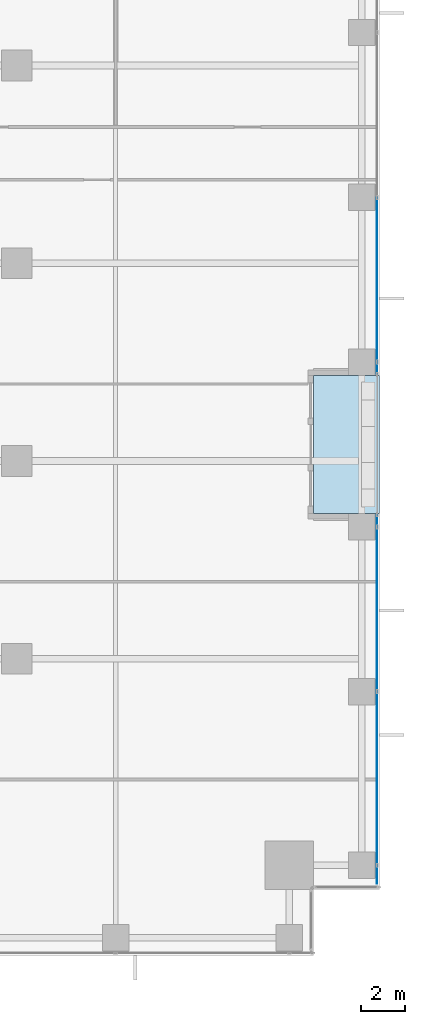
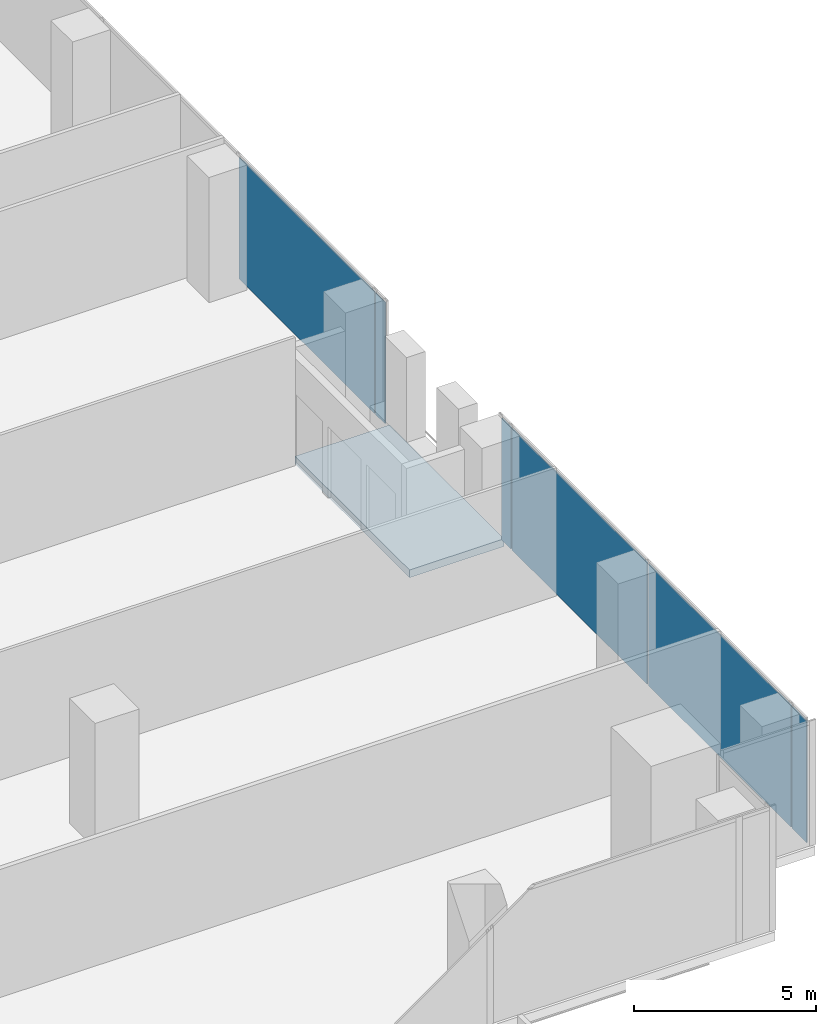
# One storey, part 23 of 32: 6 plates, 1 slab, 2 elements without a shape of their own.
"""IFC4 building model written with IfcOpenShell, lengths in metres."""

from ifc_helpers import new_model, si_unit, direction, frame, origin, origin_2d, place, context, subcontext, project, spatial, polyline, rectangle, outline, extrude, source, transform, mapped, material, layer, layer_set, type_object, element, aggregate, save


model = new_model("IFC4")

# Units and contexts
model_context = context("Model", 3, precision=1e-05, world=origin(), true_north=direction((0.0, 1.0)))
body_context = subcontext(model_context, "Body", "Model", "MODEL_VIEW")
ifc_project = project(units=[si_unit("LENGTHUNIT", "METRE"), si_unit("AREAUNIT", "SQUARE_METRE"), si_unit("VOLUMEUNIT", "CUBIC_METRE"), si_unit("PLANEANGLEUNIT", "RADIAN"), si_unit("MASSUNIT", "GRAM", prefix="KILO")], contexts=[model_context])

# Site, building, storey
site_placement = place(None, origin())
site = spatial("IfcSite", under=ifc_project, at=site_placement, CompositionType="ELEMENT")
building_placement = place(site_placement, origin())
building = spatial("IfcBuilding", under=site, at=building_placement, Name="Khomas Fold Tower", CompositionType="ELEMENT")
storey_placement = place(building_placement, frame((0.0, 0.0, 37.5)))
storey = spatial("IfcBuildingStorey", under=building, at=storey_placement, Name="L07", CompositionType="ELEMENT", Elevation=37.5)

# Curtain wall, plates
ifc_material_1 = material(Name="Aluminium framed double glazing", Category="aluminium")
curtain_wall_type = type_object("IfcCurtainWallType", Name="SK-Unitised clear-glass wall, growing floors CW1", PredefinedType="NOTDEFINED", material=ifc_material_1)
curtain_wall_1_placement = place(storey_placement, origin())
curtain_wall_1 = element("IfcCurtainWall", 1, at=curtain_wall_1_placement, inside=storey, type_object=curtain_wall_type, Name="CW1 run L07 03-0", PredefinedType="NOTDEFINED")
ifc_material_2 = material(Name="Clear double glazed unit")
ifc_layer_1 = layer(ifc_material_2, 0.031982421875)
ifc_layer_set_1 = layer_set([ifc_layer_1], Name="Clear double glazed unit")
plate_type = type_object("IfcPlateType", Name="SK-Unitised clear-glass wall, growing floors glass panel CW1-P", PredefinedType="CURTAIN_PANEL", material=ifc_layer_set_1)
shared_shape_1 = source(origin(), body_context, "Body", "SweptSolid", [
    extrude(rectangle(XDim=0.81005859375, YDim=0.031982421875, at=origin_2d()), origin(), (0.0, 0.0, 1.0), 4.080078125),
])
plate_1_placement = place(storey_placement, frame((53.89990234375, 3.6650390625, 0.0), z_axis=(0.0, 0.0, 1.0), x_axis=(0.0, 1.0, 0.0)))
plate_1 = element("IfcPlate", 2, at=plate_1_placement, type_object=plate_type, Name="CW1 glass panel 1", PredefinedType="CURTAIN_PANEL", context=body_context, shape_type="MappedRepresentation", body=[
    mapped(shared_shape_1, transform((0.0, 0.0, 0.0))),
])
shared_shape_2 = source(origin(), body_context, "Body", "SweptSolid", [
    extrude(rectangle(XDim=7.840087890625, YDim=0.031982421875, at=origin_2d()), origin(), (0.0, 0.0, 1.0), 4.080078125),
])
plate_2_placement = place(storey_placement, frame((53.89990234375, 8.050048828125, 0.0), z_axis=(0.0, 0.0, 1.0), x_axis=(0.0, 1.0, 0.0)))
plate_2 = element("IfcPlate", 3, at=plate_2_placement, type_object=plate_type, Name="CW1 glass panel 2", PredefinedType="CURTAIN_PANEL", context=body_context, shape_type="MappedRepresentation", body=[
    mapped(shared_shape_2, transform((0.0, 0.0, 0.0))),
])
shared_shape_3 = source(origin(), body_context, "Body", "SweptSolid", [
    extrude(rectangle(XDim=7.43994140625, YDim=0.031982421875, at=origin_2d()), origin(), (0.0, 0.0, 1.0), 4.080078125),
])
plate_3_placement = place(storey_placement, frame((53.89990234375, 15.75, 0.0), z_axis=(0.0, 0.0, 1.0), x_axis=(0.0, 1.0, 0.0)))
plate_3 = element("IfcPlate", 4, at=plate_3_placement, type_object=plate_type, Name="CW1 glass panel 3", PredefinedType="CURTAIN_PANEL", context=body_context, shape_type="MappedRepresentation", body=[
    mapped(shared_shape_3, transform((0.0, 0.0, 0.0))),
])

# Curtain wall, plate
curtain_wall_2_placement = place(storey_placement, origin())
curtain_wall_2 = element("IfcCurtainWall", 5, at=curtain_wall_2_placement, inside=storey, type_object=curtain_wall_type, Name="CW1 run L07 03-1", PredefinedType="NOTDEFINED")
plate_4_placement = place(storey_placement, frame((53.89990234375, 30.75, 0.0), z_axis=(0.0, 0.0, 1.0), x_axis=(0.0, 1.0, 0.0)))
plate_4 = element("IfcPlate", 6, at=plate_4_placement, type_object=plate_type, Name="CW1 glass panel 2", PredefinedType="CURTAIN_PANEL", context=body_context, shape_type="MappedRepresentation", body=[
    mapped(shared_shape_3, transform((0.0, 0.0, 0.0))),
])

# Plate
shared_shape_4 = source(origin(), body_context, "Body", "SweptSolid", [
    extrude(rectangle(XDim=0.510009765625, YDim=0.031982421875, at=origin_2d()), origin(), (0.0, 0.0, 1.0), 4.080078125),
])
plate_5_placement = place(storey_placement, frame((53.89990234375, 19.784912109375, 0.0), z_axis=(0.0, 0.0, 1.0), x_axis=(0.0, 1.0, 0.0)))
plate_5 = element("IfcPlate", 7, at=plate_5_placement, type_object=plate_type, Name="CW1 glass panel 4", PredefinedType="CURTAIN_PANEL", context=body_context, shape_type="MappedRepresentation", body=[
    mapped(shared_shape_4, transform((0.0, 0.0, 0.0))),
])

aggregate(curtain_wall_1, [plate_1, plate_2, plate_3, plate_5])

plate_6_placement = place(storey_placement, frame((53.89990234375, 26.715087890625, 0.0), z_axis=(0.0, 0.0, 1.0), x_axis=(0.0, 1.0, 0.0)))
plate_6 = element("IfcPlate", 8, at=plate_6_placement, type_object=plate_type, Name="CW1 glass panel 1", PredefinedType="CURTAIN_PANEL", context=body_context, shape_type="MappedRepresentation", body=[
    mapped(shared_shape_4, transform((0.0, 0.0, 0.0))),
])

aggregate(curtain_wall_2, [plate_6, plate_4])

# Slab
ifc_material_3 = material(Name="Concrete C40/50", Category="concrete")
ifc_layer_2 = layer(ifc_material_3, 0.2548828125)
ifc_layer_set_2 = layer_set([ifc_layer_2], Name="Concrete C40/50")
slab_type = type_object("IfcSlabType", Name="BL-Balcony deck 255", PredefinedType="FLOOR", material=ifc_layer_set_2)
shared_shape_5 = source(origin(), body_context, "Body", "SweptSolid", [
    extrude(outline(polyline([(51.0, 20.10009765625), (54.0, 20.10009765625), (54.0, 26.39990234375), (51.0, 26.39990234375), (51.0, 20.10009765625)])), origin(), (0.0, 0.0, 1.0), 0.255126953125),
])
slab_placement = place(storey_placement, frame((0.0, 0.0, -0.300048828125)))
element("IfcSlab", 9, at=slab_placement, inside=storey, type_object=slab_type, Name="Balcony deck BAL-L07-E2", PredefinedType="FLOOR", context=body_context, shape_type="MappedRepresentation", body=[
    mapped(shared_shape_5, transform((0.0, 0.0, 0.0))),
])

save(model, "model.ifc")
